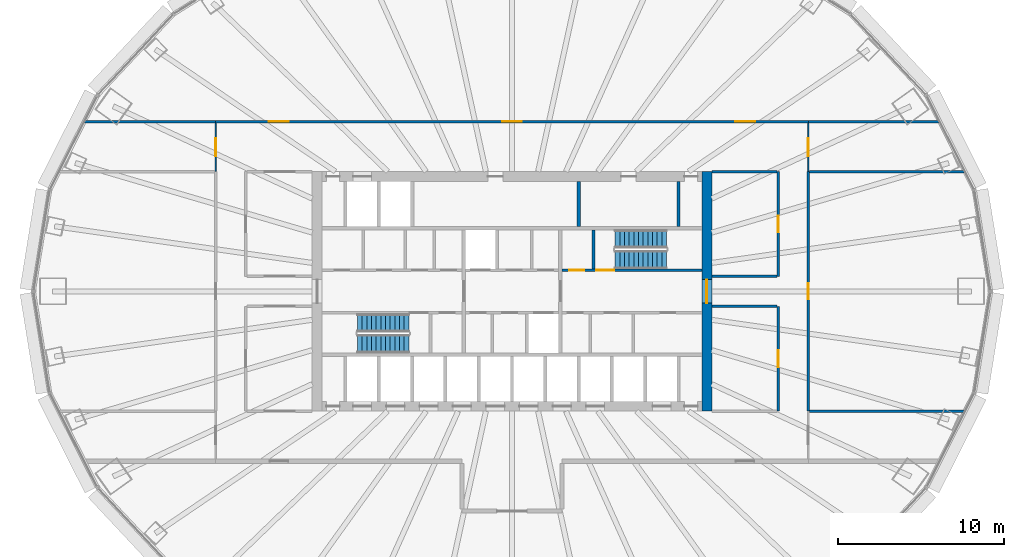
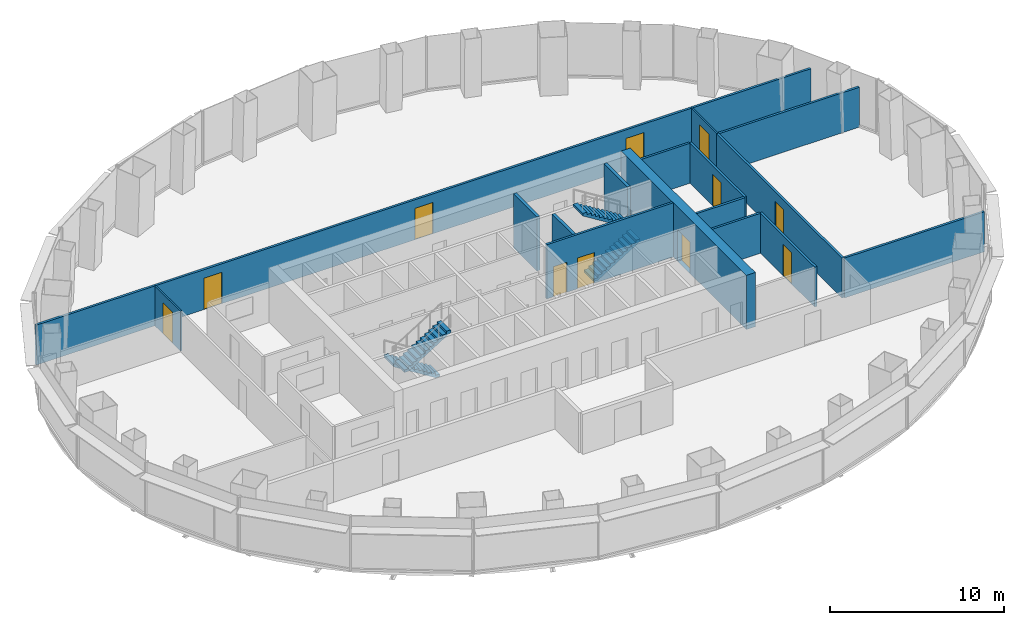
# One storey, part 9 of 13: 18 walls, 11 doors, 4 stair flights, 11 openings, 2 elements without a shape of their own.
"""IFC4 building model written with IfcOpenShell, lengths in metres."""

from ifc_helpers import new_model, si_unit, direction, frame, frame_2d, origin, place, context, subcontext, project, spatial, polyline, rectangle, outline, extrude, material, layer, layer_set, type_object, element, fill, aggregate, save


model = new_model("IFC4")

# Units and contexts
model_context = context("Model", 3, precision=1e-05, world=origin(), true_north=direction((0.0, 1.0)))
body_context = subcontext(model_context, "Body", "Model", "MODEL_VIEW")
ifc_project = project(units=[si_unit("LENGTHUNIT", "METRE"), si_unit("AREAUNIT", "SQUARE_METRE"), si_unit("VOLUMEUNIT", "CUBIC_METRE"), si_unit("PLANEANGLEUNIT", "RADIAN"), si_unit("MASSUNIT", "GRAM", prefix="KILO")], contexts=[model_context])

# Site, building, storey
site_placement = place(None, origin())
site = spatial("IfcSite", under=ifc_project, at=site_placement, CompositionType="ELEMENT")
building_placement = place(site_placement, origin())
building = spatial("IfcBuilding", under=site, at=building_placement, Name="Siaravel Broadcast Tower", CompositionType="ELEMENT")
storey_placement = place(building_placement, frame((0.0, 0.0, 24.5)))
storey = spatial("IfcBuildingStorey", under=building, at=storey_placement, Name="L04", CompositionType="ELEMENT", Elevation=24.5)

# Wall
ifc_material_1 = material(Name="Concrete blockwork", Category="masonry")
ifc_layer_1 = layer(ifc_material_1, 0.199951171875)
ifc_layer_set_1 = layer_set([ifc_layer_1], Name="Concrete blockwork")
wall_type_1 = type_object("IfcWallType", Name="Core partition 200", PredefinedType="PARTITIONING", material=ifc_layer_set_1)
wall_1_placement = place(storey_placement, frame((4.0, 3.89990234375, 0.0), z_axis=(0.0, 0.0, 1.0), x_axis=(0.0, 1.0, 0.0)))
element("IfcWall", 1, at=wall_1_placement, inside=storey, type_object=wall_type_1, Name="L04 core partition PFN2", PredefinedType="PARTITIONING", context=body_context, shape_type="SweptSolid", body=[
    extrude(rectangle(XDim=2.7001953125, YDim=0.199951171875, at=frame_2d((1.35009765625, 0.0))), origin(), (0.0, 0.0, 1.0), 3.800048828125),
])

# Wall, opening, door
ifc_material_2 = material(Name="Concrete C60/75", Category="concrete")
ifc_layer_2 = layer(ifc_material_2, 0.60009765625)
ifc_layer_set_2 = layer_set([ifc_layer_2], Name="Concrete C60/75")
wall_type_2 = type_object("IfcWallType", Name="Core wall 600", PredefinedType="SHEAR", material=ifc_layer_set_2)
wall_2_placement = place(storey_placement, frame((11.699951171875, -7.199951171875, 0.0), z_axis=(0.0, 0.0, 1.0), x_axis=(0.0, 1.0, 0.0)))
wall_2 = element("IfcWall", 2, at=wall_2_placement, inside=storey, type_object=wall_type_2, Name="L04 core wall OE", PredefinedType="SHEAR", context=body_context, shape_type="SweptSolid", body=[
    extrude(rectangle(XDim=14.39990234375, YDim=0.60009765625, at=frame_2d((7.199951171875, 0.0))), origin(), (0.0, 0.0, 1.0), 3.800048828125),
])
opening_1_placement = place(wall_2_placement, frame((6.5, 0.0, 0.0)))
opening_1 = element("IfcOpeningElement", 3, at=opening_1_placement, cuts=wall_2, Name="Opening L04-DX-E", PredefinedType="OPENING", context=body_context, shape_type="SweptSolid", body=[
    extrude(rectangle(XDim=1.39990234375, YDim=2.199951171875, at=frame_2d((0.699951171875, 1.10009765625))), frame((0.0, 0.31005859375, 0.0), z_axis=(0.0, -1.0, 0.0), x_axis=(1.0, 0.0, 0.0)), (0.0, 0.0, 1.0), 0.6201171875),
])
ifc_material_3 = material(Name="Steel", Category="steel")
door_type_1 = type_object("IfcDoorType", Name="Core exit door 1400", OperationType="DOUBLE_DOOR_SINGLE_SWING", PredefinedType="DOOR", material=ifc_material_3)
door_1_placement = place(opening_1_placement, origin())
door_1 = element("IfcDoor", 4, at=door_1_placement, inside=storey, type_object=door_type_1, Name="L04 door DX-E", OperationType="DOUBLE_DOOR_SINGLE_SWING", OverallHeight=2.199951171875, OverallWidth=1.39990234375, PredefinedType="DOOR", context=body_context, shape_type="SweptSolid", body=[
    extrude(rectangle(XDim=1.39990234375, YDim=2.199951171875, at=frame_2d((0.699951171875, 1.10009765625))), frame((0.0, 0.02490234375, 0.0), z_axis=(0.0, -1.0, 0.0), x_axis=(1.0, 0.0, 0.0)), (0.0, 0.0, 1.0), 0.050048828125),
])
fill(opening_1, door_1)

# Wall, openings, doors
ifc_material_4 = material(Name="Gypsum board partition", Category="gypsum")
ifc_layer_3 = layer(ifc_material_4, 0.14990234375)
ifc_layer_set_3 = layer_set([ifc_layer_3], Name="Gypsum board partition")
wall_type_3 = type_object("IfcWallType", Name="Corridor wall 150", PredefinedType="PARTITIONING", material=ifc_layer_set_3)
wall_3_placement = place(storey_placement, frame((17.81201171875, 10.199951171875, 0.0), z_axis=(0.0, 0.0, 1.0), x_axis=(-1.0, 0.0, 0.0)))
wall_3 = element("IfcWall", 5, at=wall_3_placement, inside=storey, type_object=wall_type_3, Name="L04 partition 1", PredefinedType="PARTITIONING", context=body_context, shape_type="SweptSolid", body=[
    extrude(rectangle(XDim=35.6240234375, YDim=0.14990234375, at=frame_2d((17.81201171875, 0.0))), origin(), (0.0, 0.0, 1.0), 2.800048828125),
])
opening_2_placement = place(wall_3_placement, frame((17.2119140625, 0.0, 0.0)))
opening_2 = element("IfcOpeningElement", 6, at=opening_2_placement, cuts=wall_3, Name="Opening L04-001", PredefinedType="OPENING", context=body_context, shape_type="SweptSolid", body=[
    extrude(rectangle(XDim=1.199951171875, YDim=2.199951171875, at=frame_2d((0.60009765625, 1.10009765625))), frame((0.0, 0.0849609375, 0.0), z_axis=(0.0, -1.0, 0.0), x_axis=(1.0, 0.0, 0.0)), (0.0, 0.0, 1.0), 0.169921875),
])
opening_3_placement = place(wall_3_placement, frame((31.2119140625, 0.0, 0.0)))
opening_3 = element("IfcOpeningElement", 7, at=opening_3_placement, cuts=wall_3, Name="Opening L04-015", PredefinedType="OPENING", context=body_context, shape_type="SweptSolid", body=[
    extrude(rectangle(XDim=1.199951171875, YDim=2.199951171875, at=frame_2d((0.60009765625, 1.10009765625))), frame((0.0, 0.0849609375, 0.0), z_axis=(0.0, -1.0, 0.0), x_axis=(1.0, 0.0, 0.0)), (0.0, 0.0, 1.0), 0.169921875),
])
opening_4_placement = place(wall_3_placement, frame((3.2119140625, 0.0, 0.0)))
opening_4 = element("IfcOpeningElement", 8, at=opening_4_placement, cuts=wall_3, Name="Opening L04-016", PredefinedType="OPENING", context=body_context, shape_type="SweptSolid", body=[
    extrude(rectangle(XDim=1.199951171875, YDim=2.199951171875, at=frame_2d((0.60009765625, 1.10009765625))), frame((0.0, 0.0849609375, 0.0), z_axis=(0.0, -1.0, 0.0), x_axis=(1.0, 0.0, 0.0)), (0.0, 0.0, 1.0), 0.169921875),
])
ifc_material_5 = material(Name="Timber veneer", Category="wood")
door_type_2 = type_object("IfcDoorType", Name="Office double door 1200", OperationType="DOUBLE_DOOR_SINGLE_SWING", PredefinedType="DOOR", material=ifc_material_5)
door_2_placement = place(opening_2_placement, origin())
door_2 = element("IfcDoor", 9, at=door_2_placement, inside=storey, type_object=door_type_2, Name="L04 door to Open plan newsroom", OperationType="DOUBLE_DOOR_SINGLE_SWING", OverallHeight=2.199951171875, OverallWidth=1.199951171875, PredefinedType="DOOR", context=body_context, shape_type="SweptSolid", body=[
    extrude(rectangle(XDim=1.199951171875, YDim=2.199951171875, at=frame_2d((0.60009765625, 1.10009765625))), frame((0.0, 0.02490234375, 0.0), z_axis=(0.0, -1.0, 0.0), x_axis=(1.0, 0.0, 0.0)), (0.0, 0.0, 1.0), 0.050048828125),
])
fill(opening_2, door_2)
door_3_placement = place(opening_3_placement, origin())
door_3 = element("IfcDoor", 10, at=door_3_placement, inside=storey, type_object=door_type_2, Name="L04 door to Open plan newsroom", OperationType="DOUBLE_DOOR_SINGLE_SWING", OverallHeight=2.199951171875, OverallWidth=1.199951171875, PredefinedType="DOOR", context=body_context, shape_type="SweptSolid", body=[
    extrude(rectangle(XDim=1.199951171875, YDim=2.199951171875, at=frame_2d((0.60009765625, 1.10009765625))), frame((0.0, 0.02490234375, 0.0), z_axis=(0.0, -1.0, 0.0), x_axis=(1.0, 0.0, 0.0)), (0.0, 0.0, 1.0), 0.050048828125),
])
fill(opening_3, door_3)
door_4_placement = place(opening_4_placement, origin())
door_4 = element("IfcDoor", 11, at=door_4_placement, inside=storey, type_object=door_type_2, Name="L04 door to Open plan newsroom", OperationType="DOUBLE_DOOR_SINGLE_SWING", OverallHeight=2.199951171875, OverallWidth=1.199951171875, PredefinedType="DOOR", context=body_context, shape_type="SweptSolid", body=[
    extrude(rectangle(XDim=1.199951171875, YDim=2.199951171875, at=frame_2d((0.60009765625, 1.10009765625))), frame((0.0, 0.02490234375, 0.0), z_axis=(0.0, -1.0, 0.0), x_axis=(1.0, 0.0, 0.0)), (0.0, 0.0, 1.0), 0.050048828125),
])
fill(opening_4, door_4)

# Wall, opening, door
wall_4_placement = place(storey_placement, frame((17.800048828125, -7.199951171875, 0.0), z_axis=(0.0, 0.0, 1.0), x_axis=(0.0, 1.0, 0.0)))
wall_4 = element("IfcWall", 12, at=wall_4_placement, inside=storey, type_object=wall_type_3, Name="L04 partition 5", PredefinedType="PARTITIONING", context=body_context, shape_type="SweptSolid", body=[
    extrude(rectangle(XDim=14.39990234375, YDim=0.14990234375, at=frame_2d((7.199951171875, 0.0))), origin(), (0.0, 0.0, 1.0), 2.800048828125),
])
opening_5_placement = place(wall_4_placement, frame((6.72509765625, 0.0, 0.0)))
opening_5 = element("IfcOpeningElement", 13, at=opening_5_placement, cuts=wall_4, Name="Opening L04-010", PredefinedType="OPENING", context=body_context, shape_type="SweptSolid", body=[
    extrude(rectangle(XDim=0.949951171875, YDim=2.14990234375, at=frame_2d((0.47509765625, 1.074951171875))), frame((0.0, 0.0849609375, 0.0), z_axis=(0.0, -1.0, 0.0), x_axis=(1.0, 0.0, 0.0)), (0.0, 0.0, 1.0), 0.169921875),
])
door_type_3 = type_object("IfcDoorType", Name="Office door 950", OperationType="SINGLE_SWING_LEFT", PredefinedType="DOOR", material=ifc_material_5)
door_5_placement = place(opening_5_placement, origin())
door_5 = element("IfcDoor", 14, at=door_5_placement, inside=storey, type_object=door_type_3, Name="L04 door to Production office", OperationType="SINGLE_SWING_RIGHT", OverallHeight=2.14990234375, OverallWidth=0.949951171875, PredefinedType="DOOR", context=body_context, shape_type="SweptSolid", body=[
    extrude(rectangle(XDim=0.949951171875, YDim=2.14990234375, at=frame_2d((0.47509765625, 1.074951171875))), frame((0.0, 0.02490234375, 0.0), z_axis=(0.0, -1.0, 0.0), x_axis=(1.0, 0.0, 0.0)), (0.0, 0.0, 1.0), 0.050048828125),
])
fill(opening_5, door_5)

wall_5_placement = place(storey_placement, frame((16.0, -0.89990234375, 0.0), z_axis=(0.0, 0.0, 1.0), x_axis=(0.0, -1.0, 0.0)))
wall_5 = element("IfcWall", 15, at=wall_5_placement, inside=storey, type_object=wall_type_3, Name="L04 partition 16", PredefinedType="PARTITIONING", context=body_context, shape_type="SweptSolid", body=[
    extrude(rectangle(XDim=6.300048828125, YDim=0.14990234375, at=frame_2d((3.14990234375, 0.0))), origin(), (0.0, 0.0, 1.0), 2.800048828125),
])
opening_6_placement = place(wall_5_placement, frame((2.64990234375, 0.0, 0.0)))
opening_6 = element("IfcOpeningElement", 16, at=opening_6_placement, cuts=wall_5, Name="Opening L04-004", PredefinedType="OPENING", context=body_context, shape_type="SweptSolid", body=[
    extrude(rectangle(XDim=1.0, YDim=2.199951171875, at=frame_2d((0.5, 1.10009765625))), frame((0.0, 0.0849609375, 0.0), z_axis=(0.0, -1.0, 0.0), x_axis=(1.0, 0.0, 0.0)), (0.0, 0.0, 1.0), 0.169921875),
])
ifc_material_6 = material(Name="Acoustic timber and steel", Category="steel")
door_type_4 = type_object("IfcDoorType", Name="Acoustic door 1000", OperationType="SINGLE_SWING_LEFT", PredefinedType="DOOR", material=ifc_material_6)
door_6_placement = place(opening_6_placement, origin())
door_6 = element("IfcDoor", 17, at=door_6_placement, inside=storey, type_object=door_type_4, Name="L04 door to Edit suite", OperationType="SINGLE_SWING_RIGHT", OverallHeight=2.199951171875, OverallWidth=1.0, PredefinedType="DOOR", context=body_context, shape_type="SweptSolid", body=[
    extrude(rectangle(XDim=1.0, YDim=2.199951171875, at=frame_2d((0.5, 1.10009765625))), frame((0.0, 0.02490234375, 0.0), z_axis=(0.0, -1.0, 0.0), x_axis=(1.0, 0.0, 0.0)), (0.0, 0.0, 1.0), 0.050048828125),
])
fill(opening_6, door_6)

wall_6_placement = place(storey_placement, frame((16.0, 7.199951171875, 0.0), z_axis=(0.0, 0.0, 1.0), x_axis=(0.0, -1.0, 0.0)))
wall_6 = element("IfcWall", 18, at=wall_6_placement, inside=storey, type_object=wall_type_3, Name="L04 partition 17", PredefinedType="PARTITIONING", context=body_context, shape_type="SweptSolid", body=[
    extrude(rectangle(XDim=6.300048828125, YDim=0.14990234375, at=frame_2d((3.14990234375, 0.0))), origin(), (0.0, 0.0, 1.0), 2.800048828125),
])
opening_7_placement = place(wall_6_placement, frame((2.64990234375, 0.0, 0.0)))
opening_7 = element("IfcOpeningElement", 19, at=opening_7_placement, cuts=wall_6, Name="Opening L04-005", PredefinedType="OPENING", context=body_context, shape_type="SweptSolid", body=[
    extrude(rectangle(XDim=1.0, YDim=2.199951171875, at=frame_2d((0.5, 1.10009765625))), frame((0.0, 0.0849609375, 0.0), z_axis=(0.0, -1.0, 0.0), x_axis=(1.0, 0.0, 0.0)), (0.0, 0.0, 1.0), 0.169921875),
])
door_7_placement = place(opening_7_placement, origin())
door_7 = element("IfcDoor", 20, at=door_7_placement, inside=storey, type_object=door_type_4, Name="L04 door to Edit suite", OperationType="SINGLE_SWING_LEFT", OverallHeight=2.199951171875, OverallWidth=1.0, PredefinedType="DOOR", context=body_context, shape_type="SweptSolid", body=[
    extrude(rectangle(XDim=1.0, YDim=2.199951171875, at=frame_2d((0.5, 1.10009765625))), frame((0.0, 0.02490234375, 0.0), z_axis=(0.0, -1.0, 0.0), x_axis=(1.0, 0.0, 0.0)), (0.0, 0.0, 1.0), 0.050048828125),
])
fill(opening_7, door_7)

# Walls
for number, where, z_axis, x_axis, name in (
    (21, (12.0, -0.89990234375, 0.0), (0.0, 0.0, 1.0), (1.0, 0.0, 0.0), "L04 partition 23"),
    (22, (12.0, 7.199951171875, 0.0), (0.0, 0.0, 1.0), (1.0, 0.0, 0.0), "L04 partition 24"),
    (23, (15.923095703125, 0.89990234375, 0.0), (0.0, 0.0, 1.0), (-1.0, 0.0, 0.0), "L04 partition 26"),
):
    element("IfcWall", number, at=place(storey_placement, frame(where, z_axis=z_axis, x_axis=x_axis)), inside=storey, type_object=wall_type_3, Name=name, PredefinedType="PARTITIONING", context=body_context, shape_type="SweptSolid", body=[
        extrude(rectangle(XDim=3.923095703125, YDim=0.14990234375, at=frame_2d((1.96142578125, 0.0))), origin(), (0.0, 0.0, 1.0), 2.800048828125),
    ])

# Wall, opening, door
ifc_material_7 = material(Name="Glazed aluminium partition", Category="aluminium")
ifc_layer_4 = layer(ifc_material_7, 0.10009765625)
ifc_layer_set_4 = layer_set([ifc_layer_4], Name="Glazed aluminium partition")
wall_type_4 = type_object("IfcWallType", Name="Glazed meeting room partition 100", PredefinedType="PARTITIONING", material=ifc_layer_set_4)
wall_7_placement = place(storey_placement, frame((-17.800048828125, 10.1240234375, 0.0), z_axis=(0.0, 0.0, 1.0), x_axis=(0.0, -1.0, 0.0)))
wall_7 = element("IfcWall", 24, at=wall_7_placement, inside=storey, type_object=wall_type_4, Name="L04 partition 30", PredefinedType="PARTITIONING", context=body_context, shape_type="SweptSolid", body=[
    extrude(rectangle(XDim=2.923095703125, YDim=0.10009765625, at=frame_2d((1.46142578125, 0.0))), origin(), (0.0, 0.0, 1.0), 2.800048828125),
])
opening_8_placement = place(wall_7_placement, frame((0.91162109375, 0.0, 0.0)))
opening_8 = element("IfcOpeningElement", 25, at=opening_8_placement, cuts=wall_7, Name="Opening L04-008", PredefinedType="OPENING", context=body_context, shape_type="SweptSolid", body=[
    extrude(rectangle(XDim=1.10009765625, YDim=2.199951171875, at=frame_2d((0.550048828125, 1.10009765625))), frame((0.0, 0.06005859375, 0.0), z_axis=(0.0, -1.0, 0.0), x_axis=(1.0, 0.0, 0.0)), (0.0, 0.0, 1.0), 0.1201171875),
])
door_type_5 = type_object("IfcDoorType", Name="Meeting room door 1100", OperationType="SINGLE_SWING_LEFT", PredefinedType="DOOR", material=ifc_material_5)
door_8_placement = place(opening_8_placement, origin())
door_8 = element("IfcDoor", 26, at=door_8_placement, inside=storey, type_object=door_type_5, Name="L04 door to Briefing room", OperationType="SINGLE_SWING_RIGHT", OverallHeight=2.199951171875, OverallWidth=1.10009765625, PredefinedType="DOOR", context=body_context, shape_type="SweptSolid", body=[
    extrude(rectangle(XDim=1.10009765625, YDim=2.199951171875, at=frame_2d((0.550048828125, 1.10009765625))), frame((0.0, 0.02490234375, 0.0), z_axis=(0.0, -1.0, 0.0), x_axis=(1.0, 0.0, 0.0)), (0.0, 0.0, 1.0), 0.050048828125),
])
fill(opening_8, door_8)

wall_8_placement = place(storey_placement, frame((17.800048828125, 7.200927734375, 0.0), z_axis=(0.0, 0.0, 1.0), x_axis=(0.0, 1.0, 0.0)))
wall_8 = element("IfcWall", 27, at=wall_8_placement, inside=storey, type_object=wall_type_4, Name="L04 partition 32", PredefinedType="PARTITIONING", context=body_context, shape_type="SweptSolid", body=[
    extrude(rectangle(XDim=2.923095703125, YDim=0.10009765625, at=frame_2d((1.46142578125, 0.0))), origin(), (0.0, 0.0, 1.0), 2.800048828125),
])
opening_9_placement = place(wall_8_placement, frame((0.91162109375, 0.0, 0.0)))
opening_9 = element("IfcOpeningElement", 28, at=opening_9_placement, cuts=wall_8, Name="Opening L04-011", PredefinedType="OPENING", context=body_context, shape_type="SweptSolid", body=[
    extrude(rectangle(XDim=1.10009765625, YDim=2.199951171875, at=frame_2d((0.550048828125, 1.10009765625))), frame((0.0, 0.06005859375, 0.0), z_axis=(0.0, -1.0, 0.0), x_axis=(1.0, 0.0, 0.0)), (0.0, 0.0, 1.0), 0.1201171875),
])
door_9_placement = place(opening_9_placement, origin())
door_9 = element("IfcDoor", 29, at=door_9_placement, inside=storey, type_object=door_type_5, Name="L04 door to Meeting room", OperationType="SINGLE_SWING_LEFT", OverallHeight=2.199951171875, OverallWidth=1.10009765625, PredefinedType="DOOR", context=body_context, shape_type="SweptSolid", body=[
    extrude(rectangle(XDim=1.10009765625, YDim=2.199951171875, at=frame_2d((0.550048828125, 1.10009765625))), frame((0.0, 0.02490234375, 0.0), z_axis=(0.0, -1.0, 0.0), x_axis=(1.0, 0.0, 0.0)), (0.0, 0.0, 1.0), 0.050048828125),
])
fill(opening_9, door_9)

# Walls
ifc_layer_5 = layer(ifc_material_4, 0.14990234375)
ifc_layer_set_5 = layer_set([ifc_layer_5], Name="Gypsum board partition")
wall_type_5 = type_object("IfcWallType", Name="Room partition 150", PredefinedType="PARTITIONING", material=ifc_layer_set_5)
for number, where, z_axis, x_axis, name in (
    (30, (27.162841796875, -7.199951171875, 0.0), (0.0, 0.0, 1.0), (-1.0, 0.0, 0.0), "L04 partition 8"),
    (31, (27.162841796875, 7.199951171875, 0.0), (0.0, 0.0, 1.0), (-1.0, 0.0, 0.0), "L04 partition 9"),
):
    element("IfcWall", number, at=place(storey_placement, frame(where, z_axis=z_axis, x_axis=x_axis)), inside=storey, type_object=wall_type_5, Name=name, PredefinedType="PARTITIONING", context=body_context, shape_type="SweptSolid", body=[
        extrude(rectangle(XDim=9.285888671875, YDim=0.14990234375, at=frame_2d((4.64306640625, 0.0))), origin(), (0.0, 0.0, 1.0), 2.800048828125),
    ])
for number, where, z_axis, x_axis, name in (
    (32, (-25.7001953125, 10.199951171875, 0.0), (0.0, 0.0, 1.0), (1.0, 0.0, 0.0), "L04 partition 10"),
    (33, (17.81298828125, 10.199951171875, 0.0), (0.0, 0.0, 1.0), (1.0, 0.0, 0.0), "L04 partition 12"),
):
    element("IfcWall", number, at=place(storey_placement, frame(where, z_axis=z_axis, x_axis=x_axis)), inside=storey, type_object=wall_type_5, Name=name, PredefinedType="PARTITIONING", context=body_context, shape_type="SweptSolid", body=[
        extrude(rectangle(XDim=7.88720703125, YDim=0.14990234375, at=frame_2d((3.943603515625, 0.0))), origin(), (0.0, 0.0, 1.0), 2.800048828125),
    ])

# Wall, openings, doors
ifc_layer_6 = layer(ifc_material_2, 0.14990234375)
ifc_layer_set_6 = layer_set([ifc_layer_6], Name="Concrete C60/75")
wall_type_6 = type_object("IfcWallType", Name="Shaft wall 150", PredefinedType="SHEAR", material=ifc_layer_set_6)
wall_9_placement = place(storey_placement, frame((3.0, 1.27490234375, 0.0), z_axis=(0.0, 0.0, 1.0), x_axis=(1.0, 0.0, 0.0)))
wall_9 = element("IfcWall", 34, at=wall_9_placement, inside=storey, type_object=wall_type_6, Name="L04 core wall CNE", PredefinedType="SHEAR", context=body_context, shape_type="SweptSolid", body=[
    extrude(rectangle(XDim=8.39990234375, YDim=0.14990234375, at=frame_2d((4.199951171875, 0.0))), origin(), (0.0, 0.0, 1.0), 3.800048828125),
])
opening_10_placement = place(wall_9_placement, frame((2.050048828125, 0.0, 0.0)))
opening_10 = element("IfcOpeningElement", 35, at=opening_10_placement, cuts=wall_9, Name="Opening L04-DS-2", PredefinedType="OPENING", context=body_context, shape_type="SweptSolid", body=[
    extrude(rectangle(XDim=1.10009765625, YDim=2.14990234375, at=frame_2d((0.550048828125, 1.074951171875))), frame((0.0, 0.0849609375, 0.0), z_axis=(0.0, -1.0, 0.0), x_axis=(1.0, 0.0, 0.0)), (0.0, 0.0, 1.0), 0.169921875),
])
opening_11_placement = place(wall_9_placement, frame((0.449951171875, 0.0, 0.0)))
opening_11 = element("IfcOpeningElement", 36, at=opening_11_placement, cuts=wall_9, Name="Opening L04-DNE0", PredefinedType="OPENING", context=body_context, shape_type="SweptSolid", body=[
    extrude(rectangle(XDim=0.89990234375, YDim=2.10009765625, at=frame_2d((0.449951171875, 1.050048828125))), frame((0.0, 0.0849609375, 0.0), z_axis=(0.0, -1.0, 0.0), x_axis=(1.0, 0.0, 0.0)), (0.0, 0.0, 1.0), 0.169921875),
])
door_type_6 = type_object("IfcDoorType", Name="Core room door 900", OperationType="SINGLE_SWING_LEFT", PredefinedType="DOOR", material=ifc_material_5)
door_10_placement = place(opening_11_placement, origin())
door_10 = element("IfcDoor", 37, at=door_10_placement, inside=storey, type_object=door_type_6, Name="L04 door DNE0", OperationType="SINGLE_SWING_LEFT", OverallHeight=2.10009765625, OverallWidth=0.89990234375, PredefinedType="DOOR", context=body_context, shape_type="SweptSolid", body=[
    extrude(rectangle(XDim=0.89990234375, YDim=2.10009765625, at=frame_2d((0.449951171875, 1.050048828125))), frame((0.0, 0.02490234375, 0.0), z_axis=(0.0, -1.0, 0.0), x_axis=(1.0, 0.0, 0.0)), (0.0, 0.0, 1.0), 0.050048828125),
])
fill(opening_11, door_10)
door_type_7 = type_object("IfcDoorType", Name="Stair door 1100", OperationType="SINGLE_SWING_LEFT", PredefinedType="DOOR", material=ifc_material_3)
door_11_placement = place(opening_10_placement, origin())
door_11 = element("IfcDoor", 38, at=door_11_placement, inside=storey, type_object=door_type_7, Name="L04 door DS-2", OperationType="SINGLE_SWING_LEFT", OverallHeight=2.14990234375, OverallWidth=1.10009765625, PredefinedType="DOOR", context=body_context, shape_type="SweptSolid", body=[
    extrude(rectangle(XDim=1.10009765625, YDim=2.14990234375, at=frame_2d((0.550048828125, 1.074951171875))), frame((0.0, 0.02490234375, 0.0), z_axis=(0.0, -1.0, 0.0), x_axis=(1.0, 0.0, 0.0)), (0.0, 0.0, 1.0), 0.050048828125),
])
fill(opening_10, door_11)

# Walls
ifc_layer_7 = layer(ifc_material_2, 0.199951171875)
ifc_layer_set_7 = layer_set([ifc_layer_7], Name="Concrete C60/75")
wall_type_7 = type_object("IfcWallType", Name="Shaft wall 200", PredefinedType="SHEAR", material=ifc_layer_set_7)
wall_10_placement = place(storey_placement, frame((10.0, 3.89990234375, 0.0), z_axis=(0.0, 0.0, 1.0), x_axis=(0.0, 1.0, 0.0)))
element("IfcWall", 39, at=wall_10_placement, inside=storey, type_object=wall_type_7, Name="L04 core wall SWN10", PredefinedType="SHEAR", context=body_context, shape_type="SweptSolid", body=[
    extrude(rectangle(XDim=2.7001953125, YDim=0.199951171875, at=frame_2d((1.35009765625, 0.0))), origin(), (0.0, 0.0, 1.0), 3.800048828125),
])
wall_11_placement = place(storey_placement, frame((4.89990234375, 1.35009765625, 0.0), z_axis=(0.0, 0.0, 1.0), x_axis=(0.0, 1.0, 0.0)))
element("IfcWall", 40, at=wall_11_placement, inside=storey, type_object=wall_type_7, Name="L04 core wall ST2W", PredefinedType="SHEAR", context=body_context, shape_type="SweptSolid", body=[
    extrude(rectangle(XDim=2.349853515625, YDim=0.199951171875, at=frame_2d((1.1748046875, 0.0))), origin(), (0.0, 0.0, 1.0), 3.800048828125),
])

# Stair, stair flights
ifc_material_8 = material(Name="Concrete C40/50", Category="concrete")
stair_type = type_object("IfcStairType", Name="Core exit stair", PredefinedType="HALF_TURN_STAIR", material=ifc_material_8)
stair_1_placement = place(storey_placement, origin())
stair_1 = element("IfcStair", 41, at=stair_1_placement, inside=storey, type_object=stair_type, Name="L04 Exit stair ST-1", PredefinedType="HALF_TURN_STAIR")
stair_flight_type = type_object("IfcStairFlightType", Name="Stair flight 1100", PredefinedType="STRAIGHT", material=ifc_material_8)
stair_flight_1_placement = place(storey_placement, frame((-6.199951171875, -1.89990234375, 0.0), z_axis=(0.0, 0.0, 1.0), x_axis=(-1.0, 0.0, 0.0)))
stair_flight_1 = element("IfcStairFlight", 42, at=stair_flight_1_placement, type_object=stair_flight_type, Name="ST-1 flight 1", NumberOfRisers=12, NumberOfTreads=11, PredefinedType="STRAIGHT", RiserHeight=0.175, TreadLength=0.28, context=body_context, shape_type="SweptSolid", body=[
    extrude(outline(polyline([(0.0, 0.0), (0.0, 0.175048828125), (0.280029296875, 0.175048828125), (0.280029296875, 0.35009765625), (0.56005859375, 0.35009765625), (0.56005859375, 0.52490234375), (0.840087890625, 0.52490234375), (0.840087890625, 0.699951171875), (1.1201171875, 0.699951171875), (1.1201171875, 0.875), (1.39990234375, 0.875), (1.39990234375, 1.050048828125), (1.679931640625, 1.050048828125), (1.679931640625, 1.22509765625), (1.9599609375, 1.22509765625), (1.9599609375, 1.39990234375), (2.239990234375, 1.39990234375), (2.239990234375, 1.574951171875), (2.52001953125, 1.574951171875), (2.52001953125, 1.75), (2.800048828125, 1.75), (2.800048828125, 1.925048828125), (3.080078125, 1.925048828125), (3.080078125, 2.10009765625), (3.080078125, 1.748291015625), (0.28271484375, 0.0), (0.0, 0.0)])), frame((0.0, 0.550048828125, 0.0), z_axis=(0.0, -1.0, 0.0), x_axis=(1.0, 0.0, 0.0)), (0.0, 0.0, 1.0), 1.10009765625),
])
stair_flight_2_placement = place(storey_placement, frame((-9.280029296875, -3.14990234375, 2.10009765625), z_axis=(0.0, 0.0, 1.0), x_axis=(1.0, 0.0, 0.0)))
stair_flight_2 = element("IfcStairFlight", 43, at=stair_flight_2_placement, type_object=stair_flight_type, Name="ST-1 flight 2", NumberOfRisers=12, NumberOfTreads=11, PredefinedType="STRAIGHT", RiserHeight=0.175, TreadLength=0.28, context=body_context, shape_type="SweptSolid", body=[
    extrude(outline(polyline([(0.0, 0.0), (0.0, 0.175048828125), (0.280029296875, 0.175048828125), (0.280029296875, 0.35009765625), (0.56005859375, 0.35009765625), (0.56005859375, 0.52490234375), (0.840087890625, 0.52490234375), (0.840087890625, 0.699951171875), (1.1201171875, 0.699951171875), (1.1201171875, 0.875), (1.39990234375, 0.875), (1.39990234375, 1.050048828125), (1.679931640625, 1.050048828125), (1.679931640625, 1.22509765625), (1.9599609375, 1.22509765625), (1.9599609375, 1.39990234375), (2.239990234375, 1.39990234375), (2.239990234375, 1.574951171875), (2.52001953125, 1.574951171875), (2.52001953125, 1.75), (2.800048828125, 1.75), (2.800048828125, 1.925048828125), (3.080078125, 1.925048828125), (3.080078125, 2.10009765625), (3.080078125, 1.748291015625), (0.28271484375, 0.0), (0.0, 0.0)])), frame((0.0, 0.550048828125, 0.0), z_axis=(0.0, -1.0, 0.0), x_axis=(1.0, 0.0, 0.0)), (0.0, 0.0, 1.0), 1.10009765625),
])
aggregate(stair_1, [stair_flight_1, stair_flight_2])

stair_2_placement = place(storey_placement, origin())
stair_2 = element("IfcStair", 44, at=stair_2_placement, inside=storey, type_object=stair_type, Name="L04 Exit stair ST-2", PredefinedType="HALF_TURN_STAIR")
stair_flight_3_placement = place(storey_placement, frame((6.199951171875, 1.89990234375, 0.0), z_axis=(0.0, 0.0, 1.0), x_axis=(1.0, 0.0, 0.0)))
stair_flight_3 = element("IfcStairFlight", 45, at=stair_flight_3_placement, type_object=stair_flight_type, Name="ST-2 flight 1", NumberOfRisers=12, NumberOfTreads=11, PredefinedType="STRAIGHT", RiserHeight=0.175, TreadLength=0.28, context=body_context, shape_type="SweptSolid", body=[
    extrude(outline(polyline([(0.0, 0.0), (0.0, 0.175048828125), (0.280029296875, 0.175048828125), (0.280029296875, 0.35009765625), (0.56005859375, 0.35009765625), (0.56005859375, 0.52490234375), (0.840087890625, 0.52490234375), (0.840087890625, 0.699951171875), (1.1201171875, 0.699951171875), (1.1201171875, 0.875), (1.39990234375, 0.875), (1.39990234375, 1.050048828125), (1.679931640625, 1.050048828125), (1.679931640625, 1.22509765625), (1.9599609375, 1.22509765625), (1.9599609375, 1.39990234375), (2.239990234375, 1.39990234375), (2.239990234375, 1.574951171875), (2.52001953125, 1.574951171875), (2.52001953125, 1.75), (2.800048828125, 1.75), (2.800048828125, 1.925048828125), (3.080078125, 1.925048828125), (3.080078125, 2.10009765625), (3.080078125, 1.748291015625), (0.28271484375, 0.0), (0.0, 0.0)])), frame((0.0, 0.550048828125, 0.0), z_axis=(0.0, -1.0, 0.0), x_axis=(1.0, 0.0, 0.0)), (0.0, 0.0, 1.0), 1.10009765625),
])
stair_flight_4_placement = place(storey_placement, frame((9.280029296875, 3.14990234375, 2.10009765625), z_axis=(0.0, 0.0, 1.0), x_axis=(-1.0, 0.0, 0.0)))
stair_flight_4 = element("IfcStairFlight", 46, at=stair_flight_4_placement, type_object=stair_flight_type, Name="ST-2 flight 2", NumberOfRisers=12, NumberOfTreads=11, PredefinedType="STRAIGHT", RiserHeight=0.175, TreadLength=0.28, context=body_context, shape_type="SweptSolid", body=[
    extrude(outline(polyline([(0.0, 0.0), (0.0, 0.175048828125), (0.280029296875, 0.175048828125), (0.280029296875, 0.35009765625), (0.56005859375, 0.35009765625), (0.56005859375, 0.52490234375), (0.840087890625, 0.52490234375), (0.840087890625, 0.699951171875), (1.1201171875, 0.699951171875), (1.1201171875, 0.875), (1.39990234375, 0.875), (1.39990234375, 1.050048828125), (1.679931640625, 1.050048828125), (1.679931640625, 1.22509765625), (1.9599609375, 1.22509765625), (1.9599609375, 1.39990234375), (2.239990234375, 1.39990234375), (2.239990234375, 1.574951171875), (2.52001953125, 1.574951171875), (2.52001953125, 1.75), (2.800048828125, 1.75), (2.800048828125, 1.925048828125), (3.080078125, 1.925048828125), (3.080078125, 2.10009765625), (3.080078125, 1.748291015625), (0.28271484375, 0.0), (0.0, 0.0)])), frame((0.0, 0.550048828125, 0.0), z_axis=(0.0, -1.0, 0.0), x_axis=(1.0, 0.0, 0.0)), (0.0, 0.0, 1.0), 1.10009765625),
])
aggregate(stair_2, [stair_flight_3, stair_flight_4])

save(model, "model.ifc")
